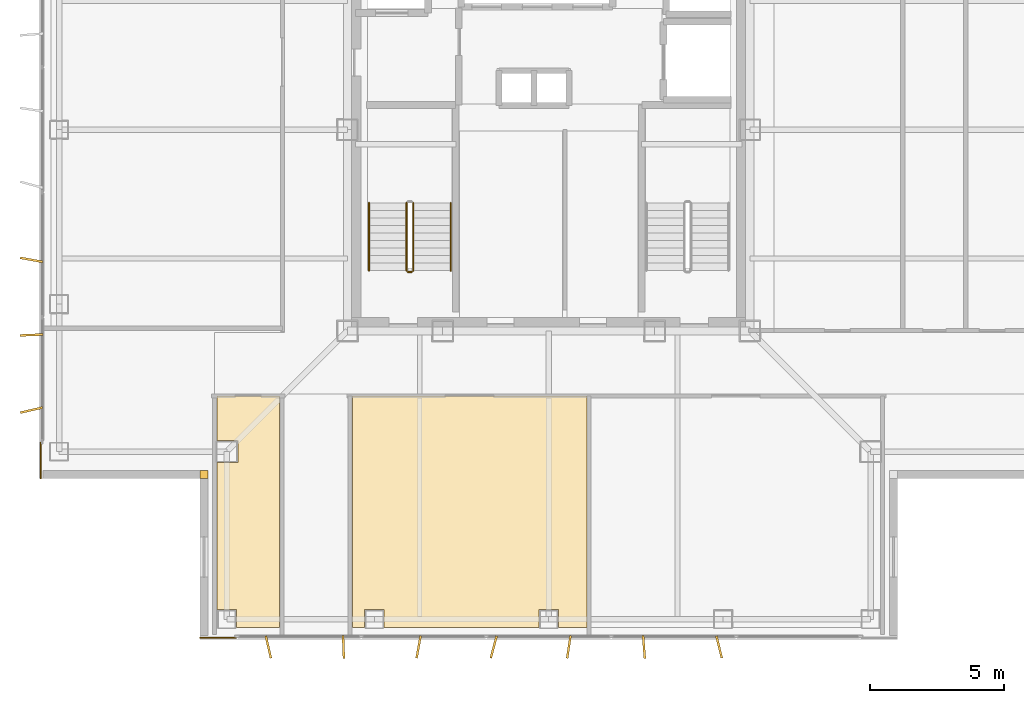
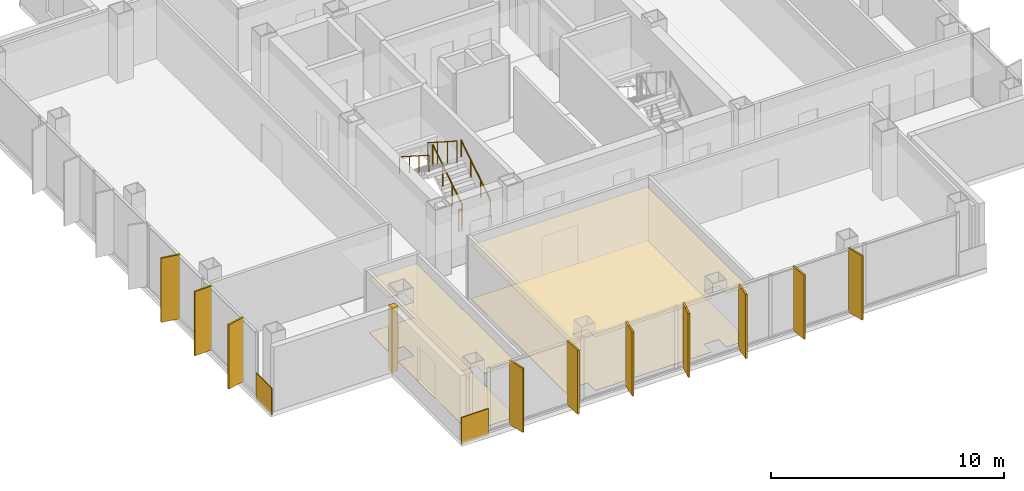
# One storey, part 10 of 15: 10 shading devices, 7 coverings, 5 railings.
"""IFC4 building model written with IfcOpenShell, lengths in metres."""

from ifc_helpers import new_model, si_unit, direction, frame, frame_2d, origin, origin_2d, place, context, subcontext, project, spatial, polyline, rectangle, circle, outline, extrude, material, layer, layer_set, type_object, element, save


model = new_model("IFC4")

# Units and contexts
model_context = context("Model", 3, precision=1e-05, world=origin(), true_north=direction((0.0, 1.0)))
body_context = subcontext(model_context, "Body", "Model", "MODEL_VIEW")
ifc_project = project(units=[si_unit("LENGTHUNIT", "METRE"), si_unit("AREAUNIT", "SQUARE_METRE"), si_unit("VOLUMEUNIT", "CUBIC_METRE"), si_unit("PLANEANGLEUNIT", "RADIAN"), si_unit("MASSUNIT", "GRAM", prefix="KILO")], contexts=[model_context])

# Site, building, storey
site_placement = place(None, origin())
site = spatial("IfcSite", under=ifc_project, at=site_placement, CompositionType="ELEMENT")
building_placement = place(site_placement, origin())
building = spatial("IfcBuilding", under=site, at=building_placement, Name="Trevonay Congress Spire", CompositionType="ELEMENT")
storey_placement = place(building_placement, frame((0.0, 0.0, 272.0)))
storey = spatial("IfcBuildingStorey", under=building, at=storey_placement, Name="L71", CompositionType="ELEMENT", Elevation=272.0)

# Coverings
ifc_material_1 = material(Name="Acoustic Mineral Fibre Board", Category="gypsum")
ifc_layer_1 = layer(ifc_material_1, 0.02490234375, Name="Acoustic Mineral Fibre Board")
ifc_layer_set_1 = layer_set([ifc_layer_1], Name="Acoustic Mineral Fibre Board")
covering_type_1 = type_object("IfcCoveringType", Name="COV-CEIL-ACOUSTIC", PredefinedType="CEILING", material=ifc_layer_set_1)
covering_1_placement = place(storey_placement, frame((0.0, 0.0, 2.81005859375)))
element("IfcCovering", 1, at=covering_1_placement, inside=storey, type_object=covering_type_1, Name="L71 Horizon Telescope Lounge acoustic suspended ceiling", PredefinedType="CEILING", context=body_context, shape_type="SweptSolid", body=[
    extrude(outline(polyline([(-12.3701171875, -18.550048828125), (-12.3701171875, -12.409912109375), (-11.590087890625, -12.409912109375), (-11.590087890625, -11.590087890625), (-12.3701171875, -11.590087890625), (-12.3701171875, -9.929931640625), (-10.030029296875, -9.929931640625), (-10.030029296875, -18.550048828125), (-11.639892578125, -18.550048828125), (-11.639892578125, -17.889892578125), (-12.360107421875, -17.889892578125), (-12.360107421875, -18.550048828125), (-12.3701171875, -18.550048828125)])), origin(), (0.0, 0.0, 1.0), 0.02490234375),
])
covering_2_placement = place(storey_placement, frame((0.0, 0.0, 2.81005859375)))
element("IfcCovering", 2, at=covering_2_placement, inside=storey, type_object=covering_type_1, Name="L71 Contemporary Latin Art Gallery Lounge acoustic suspended ceiling", PredefinedType="CEILING", context=body_context, shape_type="SweptSolid", body=[
    extrude(outline(polyline([(-7.320068359375, -18.550048828125), (-7.320068359375, -9.929931640625), (1.419921875, -9.929931640625), (1.419921875, -18.550048828125), (0.360107421875, -18.550048828125), (0.360107421875, -17.889892578125), (-0.360107421875, -17.889892578125), (-0.360107421875, -18.550048828125), (-6.139892578125, -18.550048828125), (-6.139892578125, -17.889892578125), (-6.860107421875, -17.889892578125), (-6.860107421875, -18.550048828125), (-7.320068359375, -18.550048828125)])), origin(), (0.0, 0.0, 1.0), 0.02490234375),
])
ifc_material_2 = material(Name="Engineered Oak Flooring", Category="wood")
ifc_layer_2 = layer(ifc_material_2, 0.01806640625, Name="Engineered Oak Flooring")
ifc_layer_set_2 = layer_set([ifc_layer_2], Name="Engineered Oak Flooring")
covering_type_2 = type_object("IfcCoveringType", Name="COV-FLOOR-TIMBER", PredefinedType="FLOORING", material=ifc_layer_set_2)
covering_3_placement = place(storey_placement, origin())
element("IfcCovering", 3, at=covering_3_placement, inside=storey, type_object=covering_type_2, Name="L71 Horizon Telescope Lounge floor finish", PredefinedType="FLOORING", context=body_context, shape_type="SweptSolid", body=[
    extrude(outline(polyline([(-12.3701171875, -18.550048828125), (-12.3701171875, -12.409912109375), (-11.590087890625, -12.409912109375), (-11.590087890625, -11.590087890625), (-12.3701171875, -11.590087890625), (-12.3701171875, -9.929931640625), (-10.030029296875, -9.929931640625), (-10.030029296875, -18.550048828125), (-11.639892578125, -18.550048828125), (-11.639892578125, -17.889892578125), (-12.360107421875, -17.889892578125), (-12.360107421875, -18.550048828125), (-12.3701171875, -18.550048828125)])), origin(), (0.0, 0.0, 1.0), 0.01806640625),
])
covering_4_placement = place(storey_placement, origin())
element("IfcCovering", 4, at=covering_4_placement, inside=storey, type_object=covering_type_2, Name="L71 Contemporary Latin Art Gallery Lounge floor finish", PredefinedType="FLOORING", context=body_context, shape_type="SweptSolid", body=[
    extrude(outline(polyline([(-7.320068359375, -18.550048828125), (-7.320068359375, -9.929931640625), (1.419921875, -9.929931640625), (1.419921875, -18.550048828125), (0.360107421875, -18.550048828125), (0.360107421875, -17.889892578125), (-0.360107421875, -17.889892578125), (-0.360107421875, -18.550048828125), (-6.139892578125, -18.550048828125), (-6.139892578125, -17.889892578125), (-6.860107421875, -17.889892578125), (-6.860107421875, -18.550048828125), (-7.320068359375, -18.550048828125)])), origin(), (0.0, 0.0, 1.0), 0.01806640625),
])
ifc_material_3 = material(Name="Pale Anodised Aluminium EN AW-6063-T6", Category="aluminium")
ifc_layer_3 = layer(ifc_material_3, 0.0400390625, Name="Pale Anodised Aluminium EN AW-6063-T6")
ifc_layer_set_3 = layer_set([ifc_layer_3], Name="Pale Anodised Aluminium EN AW-6063-T6")
covering_type_3 = type_object("IfcCoveringType", Name="COV-SPANDREL-PALE-METAL", PredefinedType="CLADDING", material=ifc_layer_set_3)
covering_5_placement = place(storey_placement, origin())
element("IfcCovering", 5, at=covering_5_placement, inside=storey, type_object=covering_type_3, Name="L71 SW re-entrant notch corner closure trim", PredefinedType="CLADDING", context=body_context, shape_type="SweptSolid", body=[
    extrude(outline(polyline([(-13.0, -13.0), (-12.699951171875, -13.0), (-12.699951171875, -12.699951171875), (-13.0, -12.699951171875), (-13.0, -13.0)])), origin(), (0.0, 0.0, 1.0), 3.360107421875),
])
for number, where, z_axis, x_axis, name in (
    (6, (-18.93994140625, -11.64990234375, -0.14990234375), (0.0, 0.0, 1.0), (0.0, -1.0, 0.0), "L71 SW corner pier spandrel cladding 1"),
    (7, (-11.64990234375, -18.93994140625, -0.14990234375), (0.0, 0.0, 1.0), (-1.0, 0.0, 0.0), "L71 SW corner pier spandrel cladding 2"),
):
    element("IfcCovering", number, at=place(storey_placement, frame(where, z_axis=z_axis, x_axis=x_axis)), inside=storey, type_object=covering_type_3, Name=name, PredefinedType="CLADDING", context=body_context, shape_type="SweptSolid", body=[
        extrude(rectangle(XDim=1.35009765625, YDim=0.0400390625, at=frame_2d((0.675048828125, 0.0))), origin(), (0.0, 0.0, 1.0), 1.39990234375),
    ])

# Railings
railing_type_1 = type_object("IfcRailingType", Name="RAL-STAIR-GUARD-110", PredefinedType="GUARDRAIL", material=ifc_material_3)
railing_1_placement = place(storey_placement, frame((-5.050048828125, -5.25, 0.179931640625)))
element("IfcRailing", 8, at=railing_1_placement, inside=storey, type_object=railing_type_1, Name="L71 ST-1 stair guard 1", PredefinedType="GUARDRAIL", context=body_context, shape_type="SweptSolid", body=[
    extrude(circle(Radius=0.02392578125, at=origin_2d()), frame((0.0, 0.0, 1.1259765625), z_axis=(0.0, 0.841162588446, 0.540782303519), x_axis=(-1.0, 0.0, 0.0)), (0.0, 0.0, 1.0), 2.995849609375),
    extrude(circle(Radius=0.02099609375, at=origin_2d()), origin(), (0.0, 0.0, 1.0), 1.101806640625),
    extrude(circle(Radius=0.02099609375, at=origin_2d()), frame((0.0, 0.840087890625, 0.5400390625)), (0.0, 0.0, 1.0), 1.101806640625),
    extrude(circle(Radius=0.02099609375, at=origin_2d()), frame((0.0, 1.679931640625, 1.080078125)), (0.0, 0.0, 1.0), 1.101806640625),
    extrude(circle(Radius=0.02099609375, at=origin_2d()), frame((0.0, 2.52001953125, 1.6201171875)), (0.0, 0.0, 1.0), 1.101806640625),
])
railing_2_placement = place(storey_placement, frame((-5.300048828125, -2.72998046875, 1.97998046875)))
element("IfcRailing", 9, at=railing_2_placement, inside=storey, type_object=railing_type_1, Name="L71 ST-1 stair guard 3", PredefinedType="GUARDRAIL", context=body_context, shape_type="SweptSolid", body=[
    extrude(circle(Radius=0.02392578125, at=origin_2d()), frame((0.0, 0.0, 1.1259765625), z_axis=(0.0, -0.841162588446, 0.540782303519), x_axis=(1.0, 0.0, 0.0)), (0.0, 0.0, 1.0), 2.995849609375),
    extrude(circle(Radius=0.02099609375, at=origin_2d()), origin(), (0.0, 0.0, 1.0), 1.101806640625),
    extrude(circle(Radius=0.02099609375, at=origin_2d()), frame((0.0, -0.840087890625, 0.5400390625)), (0.0, 0.0, 1.0), 1.101806640625),
    extrude(circle(Radius=0.02099609375, at=origin_2d()), frame((0.0, -1.679931640625, 1.080078125)), (0.0, 0.0, 1.0), 1.101806640625),
    extrude(circle(Radius=0.02099609375, at=origin_2d()), frame((0.0, -2.52001953125, 1.6201171875)), (0.0, 0.0, 1.0), 1.101806640625),
])
railing_3_placement = place(storey_placement, frame((-5.10009765625, -5.300048828125, 0.0)))
element("IfcRailing", 10, at=railing_3_placement, inside=storey, type_object=railing_type_1, Name="L71 ST-1 stair guard 4", PredefinedType="GUARDRAIL", context=body_context, shape_type="SweptSolid", body=[
    extrude(circle(Radius=0.02392578125, at=origin_2d()), frame((0.0, 0.0, 1.1259765625), z_axis=(-1.0, 0.0, 0.0), x_axis=(0.0, -1.0, 0.0)), (0.0, 0.0, 1.0), 0.14990234375),
    extrude(circle(Radius=0.02099609375, at=origin_2d()), origin(), (0.0, 0.0, 1.0), 1.101806640625),
    extrude(circle(Radius=0.02099609375, at=origin_2d()), frame((-0.14990234375, 0.0, 0.0)), (0.0, 0.0, 1.0), 1.101806640625),
])
railing_type_2 = type_object("IfcRailingType", Name="RAL-STAIR-HANDRAIL", PredefinedType="HANDRAIL", material=ifc_material_3)
railing_4_placement = place(storey_placement, frame((-3.64990234375, -5.25, 0.179931640625)))
element("IfcRailing", 11, at=railing_4_placement, inside=storey, type_object=railing_type_2, Name="L71 ST-1 stair handrail 1", PredefinedType="HANDRAIL", context=body_context, shape_type="SweptSolid", body=[
    extrude(circle(Radius=0.02392578125, at=origin_2d()), frame((0.0, 0.0, 0.8759765625), z_axis=(0.0, 0.841162588446, 0.540782303519), x_axis=(-1.0, 0.0, 0.0)), (0.0, 0.0, 1.0), 2.995849609375),
    extrude(circle(Radius=0.02099609375, at=origin_2d()), origin(), (0.0, 0.0, 1.0), 0.851806640625),
    extrude(circle(Radius=0.02099609375, at=origin_2d()), frame((0.0, 0.840087890625, 0.5400390625)), (0.0, 0.0, 1.0), 0.851806640625),
    extrude(circle(Radius=0.02099609375, at=origin_2d()), frame((0.0, 1.679931640625, 1.080078125)), (0.0, 0.0, 1.0), 0.851806640625),
    extrude(circle(Radius=0.02099609375, at=origin_2d()), frame((0.0, 2.52001953125, 1.6201171875)), (0.0, 0.0, 1.0), 0.851806640625),
])
railing_5_placement = place(storey_placement, frame((-6.699951171875, -2.72998046875, 1.97998046875)))
element("IfcRailing", 12, at=railing_5_placement, inside=storey, type_object=railing_type_2, Name="L71 ST-1 stair handrail 2", PredefinedType="HANDRAIL", context=body_context, shape_type="SweptSolid", body=[
    extrude(circle(Radius=0.02392578125, at=origin_2d()), frame((0.0, 0.0, 0.8759765625), z_axis=(0.0, -0.841162588446, 0.540782303519), x_axis=(1.0, 0.0, 0.0)), (0.0, 0.0, 1.0), 2.995849609375),
    extrude(circle(Radius=0.02099609375, at=origin_2d()), origin(), (0.0, 0.0, 1.0), 0.851806640625),
    extrude(circle(Radius=0.02099609375, at=origin_2d()), frame((0.0, -0.840087890625, 0.5400390625)), (0.0, 0.0, 1.0), 0.851806640625),
    extrude(circle(Radius=0.02099609375, at=origin_2d()), frame((0.0, -1.679931640625, 1.080078125)), (0.0, 0.0, 1.0), 0.851806640625),
    extrude(circle(Radius=0.02099609375, at=origin_2d()), frame((0.0, -2.52001953125, 1.6201171875)), (0.0, 0.0, 1.0), 0.851806640625),
])

# Shading devices
shading_device_type = type_object("IfcShadingDeviceType", Name="SHD-FIN-Z4-PALE-METAL", PredefinedType="USERDEFINED", material=ifc_material_3)
for number, where, z_axis, x_axis, name in (
    (13, (-10.449951171875, -19.280029296875, 0.0), (0.0, 0.0, 1.0), (0.97440931131, 0.224780991261, 0.0), "L71 S vertical pale-metal solar fin 1"),
    (14, (-7.64990234375, -19.280029296875, 0.0), (0.0, 0.0, 1.0), (0.999235873152, 0.039085416795, 0.0), "L71 S vertical pale-metal solar fin 2"),
    (15, (-4.85009765625, -19.280029296875, 0.0), (0.0, 0.0, 1.0), (0.984195607969, -0.17708474032, 0.0), "L71 S vertical pale-metal solar fin 3"),
    (16, (-2.050048828125, -19.280029296875, 0.0), (0.0, 0.0, 1.0), (0.966106280664, -0.258144638645, 0.0), "L71 S vertical pale-metal solar fin 4"),
    (17, (0.75, -19.280029296875, 0.0), (0.0, 0.0, 1.0), (0.989144474801, -0.146946275799, 0.0), "L71 S vertical pale-metal solar fin 5"),
    (18, (3.550048828125, -19.280029296875, 0.0), (0.0, 0.0, 1.0), (0.997025911491, 0.077067060513, 0.0), "L71 S vertical pale-metal solar fin 6"),
    (19, (6.35009765625, -19.280029296875, 0.0), (0.0, 0.0, 1.0), (0.970464383152, 0.241244442494, 0.0), "L71 S vertical pale-metal solar fin 7"),
    (20, (-19.280029296875, -10.449951171875, 0.0), (0.0, 0.0, 1.0), (-0.224780991261, 0.97440931131, 0.0), "L71 W vertical pale-metal solar fin 1"),
    (21, (-19.280029296875, -7.64990234375, 0.0), (0.0, 0.0, 1.0), (-0.039085416795, 0.999235873152, 0.0), "L71 W vertical pale-metal solar fin 2"),
    (22, (-19.280029296875, -4.85009765625, 0.0), (0.0, 0.0, 1.0), (0.17708474032, 0.984195607969, 0.0), "L71 W vertical pale-metal solar fin 3"),
):
    element("IfcShadingDevice", number, at=place(storey_placement, frame(where, z_axis=z_axis, x_axis=x_axis)), inside=storey, type_object=shading_device_type, Name=name, ObjectType="SOLAR FIN", PredefinedType="USERDEFINED", context=body_context, shape_type="SweptSolid", body=[
        extrude(rectangle(XDim=0.080078125, YDim=0.85009765625, at=origin_2d()), origin(), (0.0, 0.0, 1.0), 3.360107421875),
    ])

save(model, "model.ifc")
